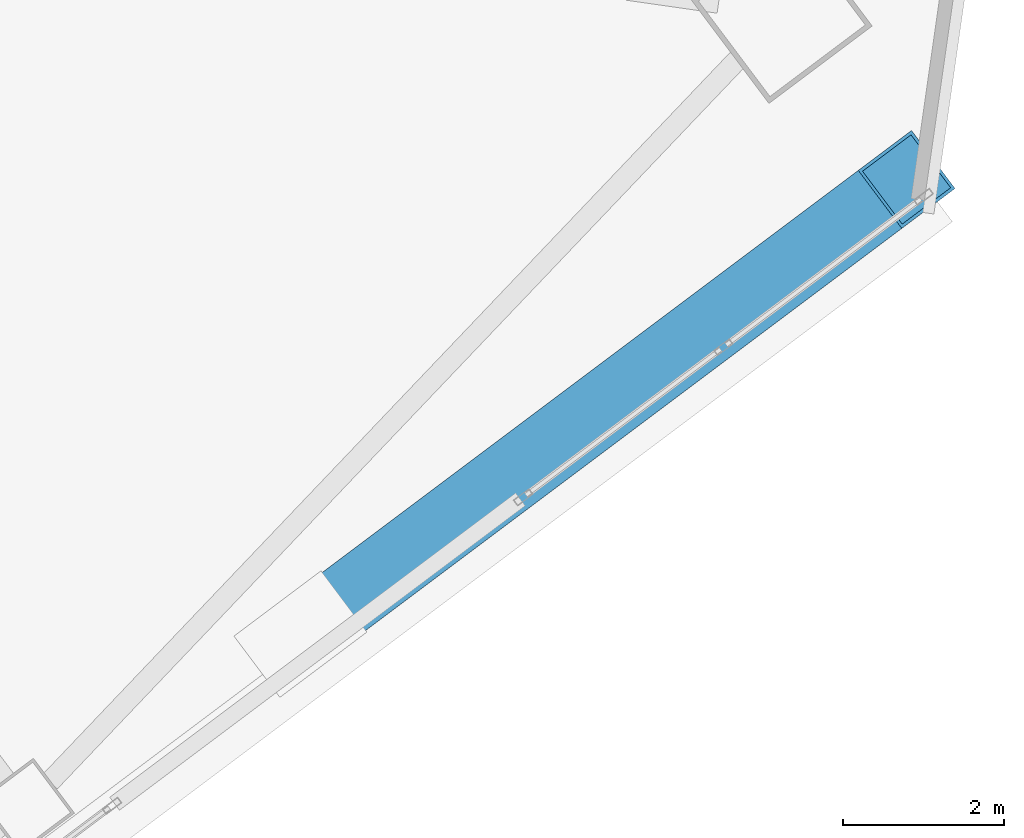
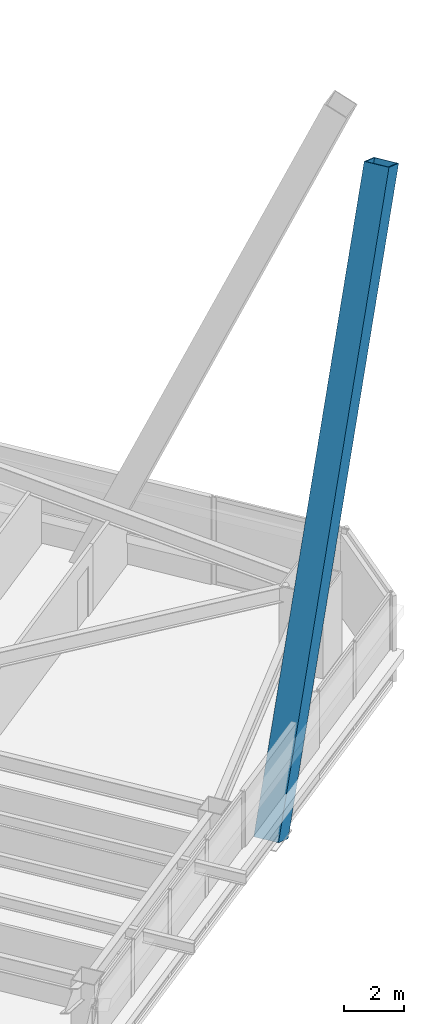
# One storey, part 46 of 75: 1 member.
"""IFC4 building model written with IfcOpenShell, lengths in metres."""

import ifcopenshell
import ifcopenshell.guid

model = None  # the IFC model being written
_history = None  # IfcOwnerHistory: only IFC2X3 demands one
_inside = {}  # id of a spatial element -> (the spatial element, [elements in it])
_under = {}  # id of a project, library or spatial element -> (it, [spatial elements below it])
_declared = {}  # id of a project -> (the project, [libraries it declares])
_typed = {}  # id of a type object -> (the type object, [elements of that type])
_made_of = {}  # id of a material, layer set ... -> (it, [elements and type objects made of it])


def new_model(schema):
    """Start an empty IFC model of exactly this schema.

    Asked for "IFC4X3", IfcOpenShell would pick the latest addendum, in which some entities
    have other attributes; the version numbers below select the first issue.
    IFC2X3 requires an IfcOwnerHistory on every rooted entity: one is made here for all.
    """
    global model, _history
    if schema == "IFC4X3":
        model = ifcopenshell.file(schema_version=(4, 3, 0, 0))
    else:
        model = ifcopenshell.file(schema=schema)
    _inside.clear()
    _under.clear()
    _declared.clear()
    _typed.clear()
    _made_of.clear()
    _history = None
    if model.schema == "IFC2X3":
        org = make("IfcOrganization", Name="unknown")
        user = make(
            "IfcPersonAndOrganization",
            ThePerson=make("IfcPerson", FamilyName="unknown"),
            TheOrganization=org,
        )
        app = make(
            "IfcApplication",
            ApplicationDeveloper=org,
            Version="unknown",
            ApplicationFullName="unknown",
            ApplicationIdentifier="unknown",
        )
        _history = make(
            "IfcOwnerHistory",
            OwningUser=user,
            OwningApplication=app,
            ChangeAction="ADDED",
            CreationDate=0,
        )
    return model


def make(cls, **values):
    """One entity of the class cls with the attributes given. An attribute that is None is left unset."""
    return model.create_entity(
        cls, **{name: value for name, value in values.items() if value is not None}
    )


def rooted(cls, **values):
    """An entity with a GlobalId (a new one), such as an element, a storey or a relation."""
    return make(cls, GlobalId=ifcopenshell.guid.new(), OwnerHistory=_history, **values)


def si_unit(unit_type, name, prefix=None):
    """IfcSIUnit, for example si_unit("LENGTHUNIT", "METRE", prefix="MILLI")."""
    return make("IfcSIUnit", UnitType=unit_type, Prefix=prefix, Name=name)


def assignment(units):
    """IfcUnitAssignment: the units of a project."""
    return None if units is None else make("IfcUnitAssignment", Units=units)


def point(xyz):
    """IfcCartesianPoint."""
    return None if xyz is None else make("IfcCartesianPoint", Coordinates=xyz)


def direction(xyz):
    """IfcDirection."""
    return None if xyz is None else make("IfcDirection", DirectionRatios=xyz)


def frame(location, z_axis=None, x_axis=None):
    """IfcAxis2Placement3D, a coordinate frame: its origin and axes. An axis left out is left unset."""
    return make(
        "IfcAxis2Placement3D",
        Location=point(location),
        Axis=direction(z_axis),
        RefDirection=direction(x_axis),
    )


def frame_2d(location, x_axis=None):
    """IfcAxis2Placement2D, a coordinate frame in the plane: its origin and x axis."""
    return make(
        "IfcAxis2Placement2D", Location=point(location), RefDirection=direction(x_axis)
    )


def origin():
    """The frame at (0, 0, 0) with its axes left unset."""
    return frame((0.0, 0.0, 0.0))


def origin_2d():
    """The frame at (0, 0) in the plane with its x axis left unset."""
    return frame_2d((0.0, 0.0))


def place(relative_to, where):
    """IfcLocalPlacement: puts the frame where relative to a parent placement (None: the world)."""
    return make(
        "IfcLocalPlacement", PlacementRelTo=relative_to, RelativePlacement=where
    )


def context(
    kind, dimensions, precision=None, world=None, true_north=None, identifier=None
):
    """IfcGeometricRepresentationContext, for example the 3D "Model" context."""
    return make(
        "IfcGeometricRepresentationContext",
        ContextIdentifier=identifier,
        ContextType=kind,
        CoordinateSpaceDimension=dimensions,
        Precision=precision,
        WorldCoordinateSystem=world,
        TrueNorth=true_north,
    )


def subcontext(parent, identifier, kind, view, scale=None):
    """IfcGeometricRepresentationSubContext, for example "Body" below "Model"."""
    return make(
        "IfcGeometricRepresentationSubContext",
        ContextIdentifier=identifier,
        ContextType=kind,
        ParentContext=parent,
        TargetScale=scale,
        TargetView=view,
    )


def project(units=None, contexts=None):
    """IfcProject with its units and contexts."""
    return rooted(
        "IfcProject",
        Name="project",
        RepresentationContexts=contexts,
        UnitsInContext=assignment(units),
    )


def spatial(cls, under=None, at=None, **own):
    """A site, building, storey or space (cls), placed at a placement, below another one or the project."""
    s = rooted(cls, ObjectPlacement=at, **own)
    if under is not None:
        _under.setdefault(under.id(), (under, []))[1].append(s)
    return s


def profile(cls, at=None, kind="AREA", **sizes):
    """A parametric profile (cls). Its sizes go by their IFC names, for example OverallWidth=200.0."""
    return make(cls, ProfileType=kind, Position=at, **sizes)


def hollow_rectangle(**sizes):
    """IfcRectangleHollowProfileDef."""
    return profile("IfcRectangleHollowProfileDef", **sizes)


def extrude(swept, where, along, depth):
    """IfcExtrudedAreaSolid: the profile swept, set in the frame where, extruded along a direction by depth."""
    return make(
        "IfcExtrudedAreaSolid",
        SweptArea=swept,
        Position=where,
        ExtrudedDirection=direction(along),
        Depth=depth,
    )


def shape(context_of_items, identifier, shape_type, items):
    """IfcShapeRepresentation: the items that make up one representation, for example the "Body"."""
    return make(
        "IfcShapeRepresentation",
        ContextOfItems=context_of_items,
        RepresentationIdentifier=identifier,
        RepresentationType=shape_type,
        Items=items,
    )


def material(Name=None, Category=None):
    """IfcMaterial."""
    return make("IfcMaterial", Name=Name, Category=Category)


def material_profile(
    of_material, cross_section, Name=None, Category=None, Priority=None
):
    """IfcMaterialProfile: a cross section and its material."""
    return make(
        "IfcMaterialProfile",
        Name=Name,
        Material=of_material,
        Profile=cross_section,
        Priority=Priority,
        Category=Category,
    )


def profile_set(profiles, Name=None, composite=None):
    """IfcMaterialProfileSet."""
    return make(
        "IfcMaterialProfileSet",
        Name=Name,
        MaterialProfiles=profiles,
        CompositeProfile=composite,
    )


def made_of(thing, what):
    """Note that an element or type object is made of a material, layer set ...; save() writes the relation."""
    if what is not None:
        _made_of.setdefault(what.id(), (what, []))[1].append(thing)
    return thing


def type_object(cls, material=None, **own):
    """A type object (cls), such as IfcWallType, which elements share."""
    return made_of(rooted(cls, **own), material)


def element(
    cls,
    number,
    at=None,
    inside=None,
    cuts=None,
    type_object=None,
    material=None,
    context=None,
    identifier="Body",
    shape_type=None,
    held_by="IfcProductDefinitionShape",
    body=None,
    shapes=None,
    **own,
):
    """One element of the class cls, such as IfcWall. Its Tag is "e" and its number.

    at: its placement. inside: the storey or other place that contains it. cuts: it is an
    opening in that element (IfcRelVoidsElement). A single representation is given by context,
    identifier, shape_type and body (its items); several are given by shapes. held_by: the class
    of the entity that holds the representations. save() writes the other relations.
    """
    e = rooted(cls, Tag="e%d" % number, ObjectPlacement=at, **own)
    if body is not None:
        shapes = [shape(context, identifier, shape_type, body)]
    if shapes is not None:
        e.Representation = make(held_by, Representations=shapes)
    if inside is not None:
        _inside.setdefault(inside.id(), (inside, []))[1].append(e)
    if cuts is not None:
        rooted(
            "IfcRelVoidsElement", RelatingBuildingElement=cuts, RelatedOpeningElement=e
        )
    if type_object is not None:
        _typed.setdefault(type_object.id(), (type_object, []))[1].append(e)
    return made_of(e, material)


def aggregate(whole, parts):
    """IfcRelAggregates: a whole, such as a stair, and the parts it consists of."""
    return rooted("IfcRelAggregates", RelatingObject=whole, RelatedObjects=parts)


def save(model, path):
    """Write the relations noted so far, then the file.

    IfcRelAggregates (storeys below a building ...), IfcRelContainedInSpatialStructure (elements
    in a storey), IfcRelDefinesByType, IfcRelAssociatesMaterial and IfcRelDeclares: one each for
    every whole, place, type object, material and project.
    """
    for whole, parts in _under.values():
        aggregate(whole, parts)
    for where, things in _inside.values():
        rooted(
            "IfcRelContainedInSpatialStructure",
            RelatedElements=things,
            RelatingStructure=where,
        )
    for kind, things in _typed.values():
        rooted("IfcRelDefinesByType", RelatedObjects=things, RelatingType=kind)
    for what, things in _made_of.values():
        rooted("IfcRelAssociatesMaterial", RelatedObjects=things, RelatingMaterial=what)
    for by, libraries in _declared.values():
        rooted("IfcRelDeclares", RelatingContext=by, RelatedDefinitions=libraries)
    model.write(path)


model = new_model("IFC4")

# Units and contexts
model_context = context("Model", 3, precision=1e-05, world=origin(), true_north=direction((0.0, 1.0)))
body_context = subcontext(model_context, "Body", "Model", "MODEL_VIEW")
ifc_project = project(units=[si_unit("LENGTHUNIT", "METRE"), si_unit("AREAUNIT", "SQUARE_METRE"), si_unit("VOLUMEUNIT", "CUBIC_METRE"), si_unit("PLANEANGLEUNIT", "RADIAN"), si_unit("MASSUNIT", "GRAM", prefix="KILO")], contexts=[model_context])

# Site, building, storey
site_placement = place(None, origin())
site = spatial("IfcSite", under=ifc_project, at=site_placement, CompositionType="ELEMENT")
building_placement = place(site_placement, origin())
building = spatial("IfcBuilding", under=site, at=building_placement, Name="Tashvorn Skyway Center", CompositionType="ELEMENT")
storey_placement = place(building_placement, frame((0.0, 0.0, 45.89990234375)))
storey = spatial("IfcBuildingStorey", under=building, at=storey_placement, Name="L11", CompositionType="ELEMENT", Elevation=45.89990234375)

# Member
ifc_material = material(Name="Steel ASTM A572 Grade 50", Category="steel")
ifc_material_profile = material_profile(ifc_material, hollow_rectangle(XDim=0.89990234375, YDim=0.89990234375, WallThickness=0.0400390625, at=origin_2d()), Name="BOX900x900x40")
ifc_profile_set = profile_set([ifc_material_profile], Name="Steel ASTM A572 Grade 50")
member_type = type_object("IfcMemberType", Name="MEM-MB-900", PredefinedType="BRACE", material=ifc_profile_set)
member_placement = place(storey_placement, frame((134.347900390625, 20.535888671875, -0.449951171875), z_axis=(0.320476506079, 0.240362581762, 0.916253588446), x_axis=(-0.600008311051, 0.799993766644, 0.0)))
element("IfcMember", 1, at=member_placement, inside=storey, type_object=member_type, Name="Tower 2 Zone 1 S Chevron Mega-Brace R2", PredefinedType="BRACE", context=body_context, shape_type="SweptSolid", body=[
    extrude(hollow_rectangle(XDim=0.89990234375, YDim=0.89990234375, WallThickness=0.0400390625, at=origin_2d()), origin(), (0.0, 0.0, 1.0), 23.465087890625),
])

save(model, "model.ifc")
